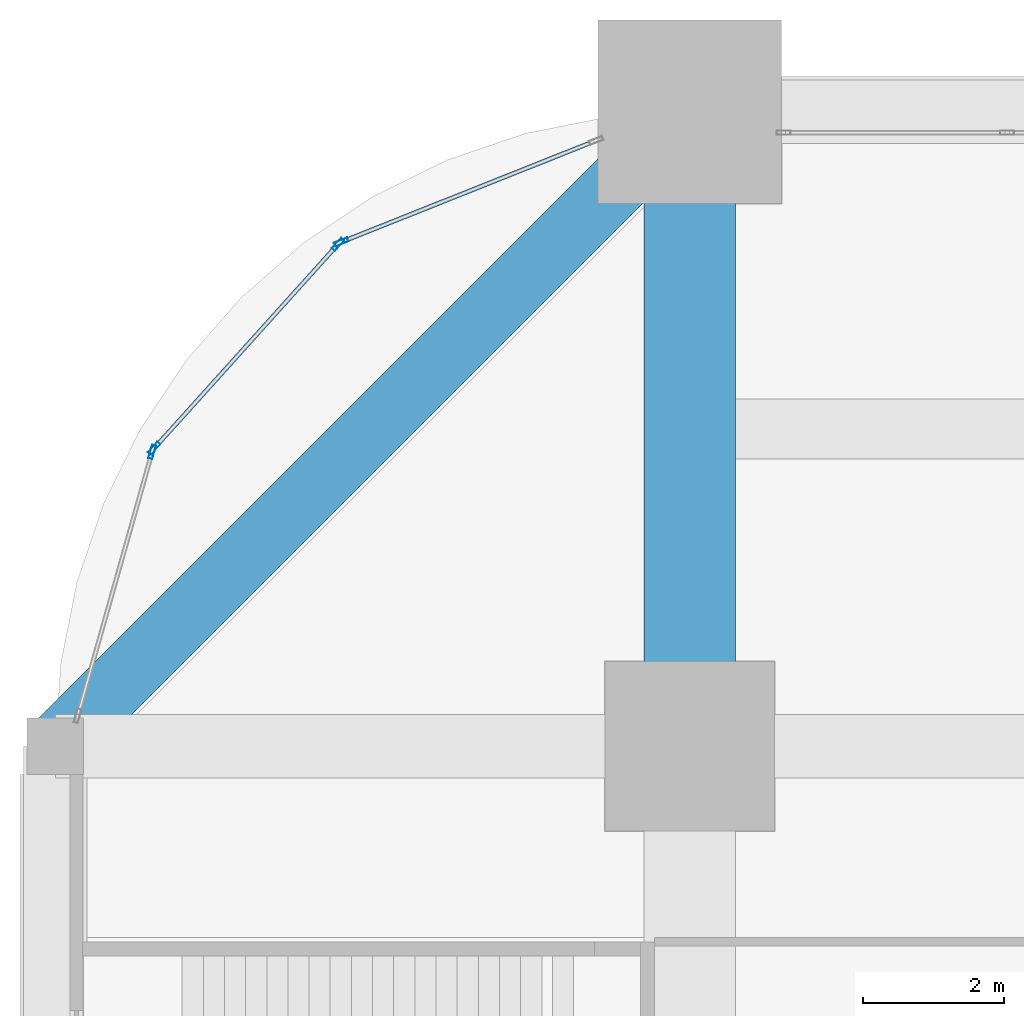
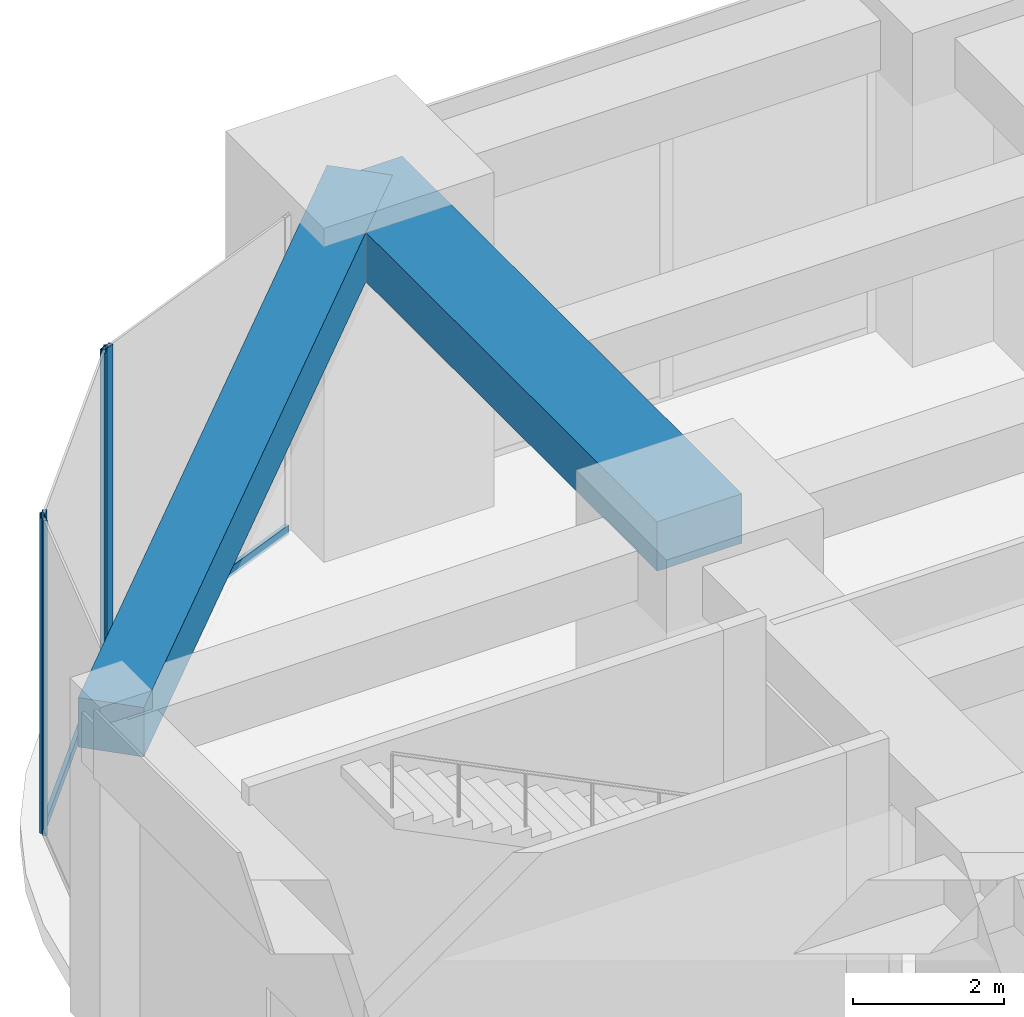
# One storey, part 22 of 45: 6 members, 2 beams, 3 elements without a shape of their own.
"""IFC4 building model written with IfcOpenShell, lengths in metres."""

from ifc_helpers import new_model, si_unit, direction, frame, origin, origin_2d, place, context, subcontext, project, spatial, rectangle, hollow_rectangle, extrude, material, material_profile, profile_set, type_object, element, aggregate, save


model = new_model("IFC4")

# Units and contexts
model_context = context("Model", 3, precision=1e-05, world=origin(), true_north=direction((0.0, 1.0)))
body_context = subcontext(model_context, "Body", "Model", "MODEL_VIEW")
ifc_project = project(units=[si_unit("LENGTHUNIT", "METRE"), si_unit("AREAUNIT", "SQUARE_METRE"), si_unit("VOLUMEUNIT", "CUBIC_METRE"), si_unit("PLANEANGLEUNIT", "RADIAN"), si_unit("MASSUNIT", "GRAM", prefix="KILO")], contexts=[model_context])

# Site, building, storey
site_placement = place(None, origin())
site = spatial("IfcSite", under=ifc_project, at=site_placement, CompositionType="ELEMENT")
building_placement = place(site_placement, origin())
building = spatial("IfcBuilding", under=site, at=building_placement, Name="Zorevar Civic Tower", CompositionType="ELEMENT")
storey_placement = place(building_placement, frame((0.0, 0.0, 5.39990234375)))
storey = spatial("IfcBuildingStorey", under=building, at=storey_placement, Name="L01", CompositionType="ELEMENT", Elevation=5.39990234375)

# Beam
ifc_material_1 = material(Name="Concrete C50/60", Category="concrete")
ifc_material_profile_1 = material_profile(ifc_material_1, rectangle(XDim=1.300048828125, YDim=0.800048828125, at=origin_2d()), Name="RC 1300x800")
ifc_profile_set_1 = profile_set([ifc_material_profile_1], Name="Concrete C50/60")
beam_type_1 = type_object("IfcBeamType", Name="Beam RC 1300x800", PredefinedType="BEAM", material=ifc_profile_set_1)
beam_1_placement = place(storey_placement, frame((0.0, 45.0, 4.7001953125), z_axis=(0.0, 1.0, 0.0), x_axis=(-1.0, 0.0, 0.0)))
element("IfcBeam", 1, at=beam_1_placement, inside=storey, type_object=beam_type_1, Name="Girder L02", PredefinedType="BEAM", context=body_context, shape_type="SweptSolid", body=[
    extrude(rectangle(XDim=1.300048828125, YDim=0.800048828125, at=origin_2d()), origin(), (0.0, 0.0, 1.0), 9.0),
])

# Curtain wall, member
ifc_material_2 = material(Name="Dark grey solar-control glass in black aluminium frame", Category="aluminium")
curtain_wall_type = type_object("IfcCurtainWallType", Name="Curtain wall CW1 podium", PredefinedType="NOTDEFINED", material=ifc_material_2)
curtain_wall_1_placement = place(storey_placement, origin())
curtain_wall_1 = element("IfcCurtainWall", 2, at=curtain_wall_1_placement, inside=storey, type_object=curtain_wall_type, Name="CW1 L01", PredefinedType="NOTDEFINED")
ifc_material_3 = material(Name="Aluminium, black anodised", Category="aluminium")
ifc_material_profile_2 = material_profile(ifc_material_3, hollow_rectangle(XDim=0.06005859375, YDim=0.199951171875, WallThickness=0.00390625, at=origin_2d()), Name="AL 200x60x4")
ifc_profile_set_2 = profile_set([ifc_material_profile_2], Name="Aluminium, black anodised")
member_type_1 = type_object("IfcMemberType", Name="CW1 mullion AL 200x60x4", PredefinedType="MULLION", material=ifc_profile_set_2)
member_1_placement = place(storey_placement, frame((-4.943603515625, 52.150634765625, 0.0), z_axis=(0.0, 0.0, 1.0), x_axis=(0.370110964218, -0.928987553289, 0.0)))
member_1 = element("IfcMember", 3, at=member_1_placement, type_object=member_type_1, Name="CW1 mullion 2", PredefinedType="MULLION", context=body_context, shape_type="SweptSolid", body=[
    extrude(hollow_rectangle(XDim=0.06005859375, YDim=0.199951171875, WallThickness=0.00390625, at=origin_2d()), origin(), (0.0, 0.0, 1.0), 5.10009765625),
])

# Curtain wall, members
curtain_wall_2_placement = place(storey_placement, origin())
curtain_wall_2 = element("IfcCurtainWall", 4, at=curtain_wall_2_placement, inside=storey, type_object=curtain_wall_type, Name="CW1 L01", PredefinedType="NOTDEFINED")
member_2_placement = place(storey_placement, frame((-4.991455078125, 52.1171875, 0.0), z_axis=(0.0, 0.0, 1.0), x_axis=(0.742899688263, -0.669402758568, 0.0)))
member_2 = element("IfcMember", 5, at=member_2_placement, type_object=member_type_1, Name="CW1 mullion 1", PredefinedType="MULLION", context=body_context, shape_type="SweptSolid", body=[
    extrude(hollow_rectangle(XDim=0.06005859375, YDim=0.199951171875, WallThickness=0.00390625, at=origin_2d()), origin(), (0.0, 0.0, 1.0), 5.10009765625),
])
member_3_placement = place(storey_placement, frame((-7.596923828125, 49.225830078125, 0.0), z_axis=(0.0, 0.0, 1.0), x_axis=(0.742899688263, -0.669402758568, 0.0)))
member_3 = element("IfcMember", 6, at=member_3_placement, type_object=member_type_1, Name="CW1 mullion 2", PredefinedType="MULLION", context=body_context, shape_type="SweptSolid", body=[
    extrude(hollow_rectangle(XDim=0.06005859375, YDim=0.199951171875, WallThickness=0.00390625, at=origin_2d()), origin(), (0.0, 0.0, 1.0), 5.10009765625),
])

# Curtain wall, member
curtain_wall_3_placement = place(storey_placement, origin())
curtain_wall_3 = element("IfcCurtainWall", 7, at=curtain_wall_3_placement, inside=storey, type_object=curtain_wall_type, Name="CW1 L01", PredefinedType="NOTDEFINED")
member_4_placement = place(storey_placement, frame((-7.625244140625, 49.174560546875, 0.0), z_axis=(0.0, 0.0, 1.0), x_axis=(0.962390725943, -0.271669082929, 0.0)))
member_4 = element("IfcMember", 8, at=member_4_placement, type_object=member_type_1, Name="CW1 mullion 1", PredefinedType="MULLION", context=body_context, shape_type="SweptSolid", body=[
    extrude(hollow_rectangle(XDim=0.06005859375, YDim=0.199951171875, WallThickness=0.00390625, at=origin_2d()), origin(), (0.0, 0.0, 1.0), 5.10009765625),
])
aggregate(curtain_wall_3, [member_4])

# Member
ifc_material_4 = material(Name="Aluminium, black anodised", Category="aluminium")
ifc_material_profile_3 = material_profile(ifc_material_4, hollow_rectangle(XDim=0.06005859375, YDim=0.14990234375, WallThickness=0.00390625, at=origin_2d()), Name="AL 150x60x4")
ifc_profile_set_3 = profile_set([ifc_material_profile_3], Name="Aluminium, black anodised")
member_type_2 = type_object("IfcMemberType", Name="CW1 transom AL 150x60x4", PredefinedType="USERDEFINED", material=ifc_profile_set_3)
member_5_placement = place(storey_placement, frame((-1.355712890625, 53.580078125, 0.030029296875), z_axis=(-0.928998620575, -0.370083183851, 0.0), x_axis=(0.370083183851, -0.928998620575, 0.0)))
member_5 = element("IfcMember", 9, at=member_5_placement, type_object=member_type_2, Name="CW1 sill transom", ObjectType="TRANSOM", PredefinedType="USERDEFINED", context=body_context, shape_type="SweptSolid", body=[
    extrude(hollow_rectangle(XDim=0.06005859375, YDim=0.14990234375, WallThickness=0.00390625, at=origin_2d()), origin(), (0.0, 0.0, 1.0), 3.83203125),
])

aggregate(curtain_wall_1, [member_1, member_5])

member_6_placement = place(storey_placement, frame((-5.01171875, 52.094970703125, 0.030029296875), z_axis=(-0.669390521788, -0.742910714245, 0.0), x_axis=(0.742910714245, -0.669390521788, 0.0)))
member_6 = element("IfcMember", 10, at=member_6_placement, type_object=member_type_2, Name="CW1 sill transom", ObjectType="TRANSOM", PredefinedType="USERDEFINED", context=body_context, shape_type="SweptSolid", body=[
    extrude(hollow_rectangle(XDim=0.06005859375, YDim=0.14990234375, WallThickness=0.00390625, at=origin_2d()), origin(), (0.0, 0.0, 1.0), 3.83203125),
])

aggregate(curtain_wall_2, [member_2, member_3, member_6])

# Beam
ifc_material_5 = material(Name="Concrete C50/60", Category="concrete")
ifc_material_profile_4 = material_profile(ifc_material_5, rectangle(XDim=0.89990234375, YDim=0.800048828125, at=origin_2d()), Name="RC 900x800")
ifc_profile_set_4 = profile_set([ifc_material_profile_4], Name="Concrete C50/60")
beam_type_2 = type_object("IfcBeamType", Name="Edge beam RC 900x800", PredefinedType="SPANDREL", material=ifc_profile_set_4)
beam_2_placement = place(storey_placement, frame((0.0, 54.0, 4.7001953125), z_axis=(-0.707106781187, -0.707106781187, 0.0), x_axis=(0.707106781187, -0.707106781187, 0.0)))
element("IfcBeam", 11, at=beam_2_placement, inside=storey, type_object=beam_type_2, Name="Corner edge beam L02", PredefinedType="SPANDREL", context=body_context, shape_type="SweptSolid", body=[
    extrude(rectangle(XDim=0.89990234375, YDim=0.800048828125, at=origin_2d()), origin(), (0.0, 0.0, 1.0), 12.72802734375),
])

save(model, "model.ifc")
